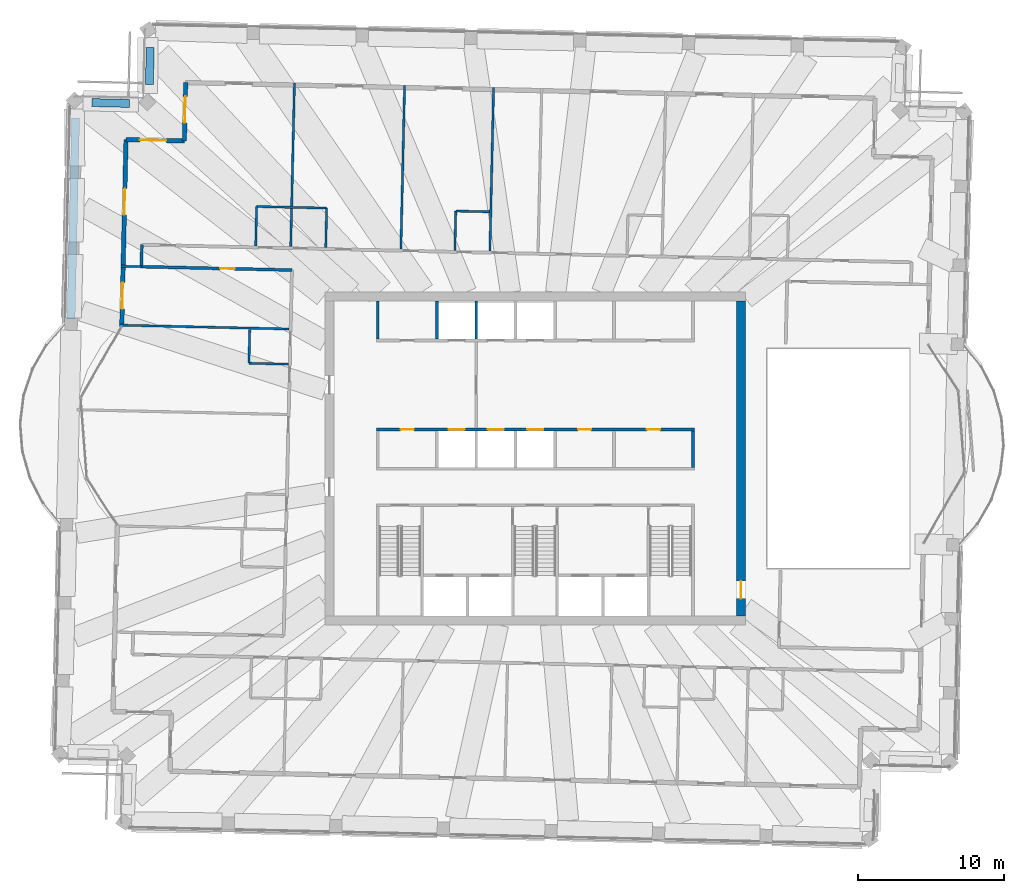
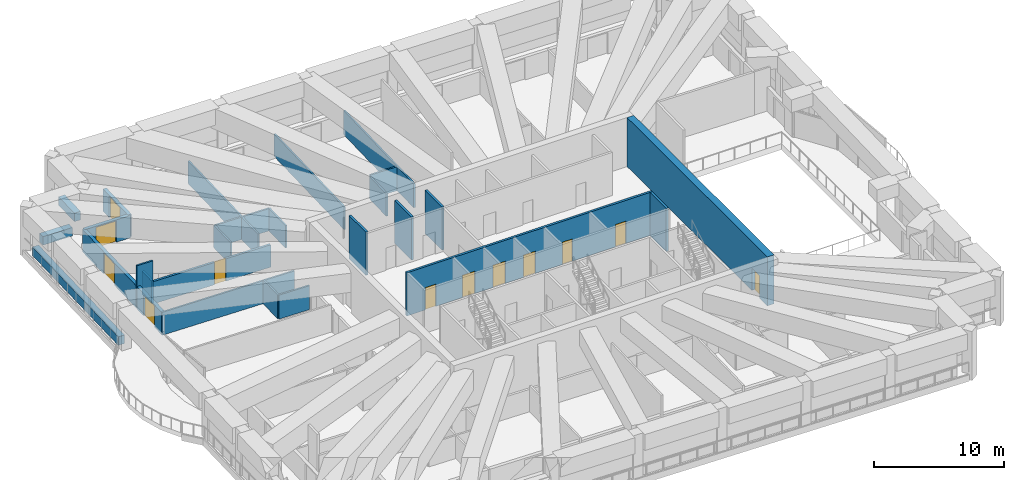
# One storey, part 12 of 21: 26 walls, 12 doors, 12 openings.
"""IFC4 building model written with IfcOpenShell, lengths in metres."""

from ifc_helpers import new_model, si_unit, direction, frame, frame_2d, origin, place, context, subcontext, project, spatial, rectangle, extrude, material, layer, layer_set, type_object, element, fill, save


model = new_model("IFC4")

# Units and contexts
model_context = context("Model", 3, precision=1e-05, world=origin(), true_north=direction((0.0, 1.0)))
body_context = subcontext(model_context, "Body", "Model", "MODEL_VIEW")
ifc_project = project(units=[si_unit("LENGTHUNIT", "METRE"), si_unit("AREAUNIT", "SQUARE_METRE"), si_unit("VOLUMEUNIT", "CUBIC_METRE"), si_unit("PLANEANGLEUNIT", "RADIAN"), si_unit("MASSUNIT", "GRAM", prefix="KILO")], contexts=[model_context])

# Site, building, storey
site_placement = place(None, origin())
site = spatial("IfcSite", under=ifc_project, at=site_placement, CompositionType="ELEMENT")
building_placement = place(site_placement, origin())
building = spatial("IfcBuilding", under=site, at=building_placement, Name="Mangrove Gate Tower", CompositionType="ELEMENT")
storey_placement = place(building_placement, frame((0.0, 0.0, 329.699951171875)))
storey = spatial("IfcBuildingStorey", under=building, at=storey_placement, Name="L84", CompositionType="ELEMENT", Elevation=329.699951171875)

# Walls
ifc_material_1 = material(Name="Concrete C32/40", Category="concrete")
ifc_layer_1 = layer(ifc_material_1, 0.199951171875)
ifc_layer_set_1 = layer_set([ifc_layer_1], Name="Core room wall 200 C32/40")
wall_type_1 = type_object("IfcWallType", Name="Core room wall 200 C32/40", PredefinedType="STANDARD", material=ifc_layer_set_1)
wall_1_placement = place(storey_placement, frame((10.800048828125, -0.60009765625, 0.0), z_axis=(0.0, 0.0, 1.0), x_axis=(0.0, 1.0, 0.0)))
element("IfcWall", 1, at=wall_1_placement, inside=storey, type_object=wall_type_1, Name="WALL-L84-CORE-25", PredefinedType="STANDARD", context=body_context, shape_type="SweptSolid", body=[
    extrude(rectangle(XDim=2.5, YDim=0.199951171875, at=frame_2d((1.25, 0.0))), origin(), (0.0, 0.0, 1.0), 4.050048828125),
])
wall_2_placement = place(storey_placement, frame((-10.800048828125, 8.199951171875, 0.0), z_axis=(0.0, 0.0, 1.0), x_axis=(0.0, 1.0, 0.0)))
element("IfcWall", 2, at=wall_2_placement, inside=storey, type_object=wall_type_1, Name="WALL-L84-CORE-26", PredefinedType="STANDARD", context=body_context, shape_type="SweptSolid", body=[
    extrude(rectangle(XDim=2.60009765625, YDim=0.199951171875, at=frame_2d((1.300048828125, 0.0))), origin(), (0.0, 0.0, 1.0), 4.050048828125),
])

# Wall, openings, doors
ifc_material_2 = material(Name="Concrete C50/60", Category="concrete")
ifc_layer_2 = layer(ifc_material_2, 0.199951171875)
ifc_layer_set_2 = layer_set([ifc_layer_2], Name="Core shaft wall 200 C50/60")
wall_type_2 = type_object("IfcWallType", Name="Core shaft wall 200 C50/60", PredefinedType="SHEAR", material=ifc_layer_set_2)
wall_3_placement = place(storey_placement, frame((-10.89990234375, 2.0, 0.0), z_axis=(0.0, 0.0, 1.0), x_axis=(1.0, 0.0, 0.0)))
wall_3 = element("IfcWall", 3, at=wall_3_placement, inside=storey, type_object=wall_type_2, Name="WALL-L84-CORE-7", PredefinedType="SHEAR", context=body_context, shape_type="SweptSolid", body=[
    extrude(rectangle(XDim=21.7998046875, YDim=0.199951171875, at=frame_2d((10.89990234375, 0.0))), origin(), (0.0, 0.0, 1.0), 4.050048828125),
])
opening_1_placement = place(wall_3_placement, frame((4.949951171875, 0.0, 0.0)))
opening_1 = element("IfcOpeningElement", 4, at=opening_1_placement, cuts=wall_3, Name="Opening LD", PredefinedType="OPENING", context=body_context, shape_type="SweptSolid", body=[
    extrude(rectangle(XDim=1.10009765625, YDim=2.10009765625, at=frame_2d((0.550048828125, 1.050048828125))), frame((0.0, 0.10986328125, 0.0), z_axis=(0.0, -1.0, 0.0), x_axis=(1.0, 0.0, 0.0)), (0.0, 0.0, 1.0), 0.219970703125),
])
opening_2_placement = place(wall_3_placement, frame((7.64990234375, 0.0, 0.0)))
opening_2 = element("IfcOpeningElement", 5, at=opening_2_placement, cuts=wall_3, Name="Opening LD", PredefinedType="OPENING", context=body_context, shape_type="SweptSolid", body=[
    extrude(rectangle(XDim=1.10009765625, YDim=2.10009765625, at=frame_2d((0.550048828125, 1.050048828125))), frame((0.0, 0.10986328125, 0.0), z_axis=(0.0, -1.0, 0.0), x_axis=(1.0, 0.0, 0.0)), (0.0, 0.0, 1.0), 0.219970703125),
])
opening_3_placement = place(wall_3_placement, frame((10.35009765625, 0.0, 0.0)))
opening_3 = element("IfcOpeningElement", 6, at=opening_3_placement, cuts=wall_3, Name="Opening LD", PredefinedType="OPENING", context=body_context, shape_type="SweptSolid", body=[
    extrude(rectangle(XDim=1.10009765625, YDim=2.10009765625, at=frame_2d((0.550048828125, 1.050048828125))), frame((0.0, 0.10986328125, 0.0), z_axis=(0.0, -1.0, 0.0), x_axis=(1.0, 0.0, 0.0)), (0.0, 0.0, 1.0), 0.219970703125),
])
opening_4_placement = place(wall_3_placement, frame((1.675048828125, 0.0, 0.0)))
opening_4 = element("IfcOpeningElement", 7, at=opening_4_placement, cuts=wall_3, Name="Opening KD", PredefinedType="OPENING", context=body_context, shape_type="SweptSolid", body=[
    extrude(rectangle(XDim=0.89990234375, YDim=2.10009765625, at=frame_2d((0.449951171875, 1.050048828125))), frame((0.0, 0.10986328125, 0.0), z_axis=(0.0, -1.0, 0.0), x_axis=(1.0, 0.0, 0.0)), (0.0, 0.0, 1.0), 0.219970703125),
])
opening_5_placement = place(wall_3_placement, frame((13.824951171875, 0.0, 0.0)))
opening_5 = element("IfcOpeningElement", 8, at=opening_5_placement, cuts=wall_3, Name="Opening RD", PredefinedType="OPENING", context=body_context, shape_type="SweptSolid", body=[
    extrude(rectangle(XDim=0.89990234375, YDim=2.10009765625, at=frame_2d((0.449951171875, 1.050048828125))), frame((0.0, 0.10986328125, 0.0), z_axis=(0.0, -1.0, 0.0), x_axis=(1.0, 0.0, 0.0)), (0.0, 0.0, 1.0), 0.219970703125),
])
opening_6_placement = place(wall_3_placement, frame((18.550048828125, 0.0, 0.0)))
opening_6 = element("IfcOpeningElement", 9, at=opening_6_placement, cuts=wall_3, Name="Opening KD", PredefinedType="OPENING", context=body_context, shape_type="SweptSolid", body=[
    extrude(rectangle(XDim=0.89990234375, YDim=2.10009765625, at=frame_2d((0.449951171875, 1.050048828125))), frame((0.0, 0.10986328125, 0.0), z_axis=(0.0, -1.0, 0.0), x_axis=(1.0, 0.0, 0.0)), (0.0, 0.0, 1.0), 0.219970703125),
])
ifc_material_3 = material(Name="Fire-rated steel door set", Category="steel")
door_type_1 = type_object("IfcDoorType", Name="Core room door FD30S 900x2100", OperationType="SINGLE_SWING_RIGHT", PredefinedType="DOOR", material=ifc_material_3)
door_1_placement = place(opening_4_placement, origin())
door_1 = element("IfcDoor", 10, at=door_1_placement, inside=storey, type_object=door_type_1, Name="Core room door Refuse store", OperationType="SINGLE_SWING_RIGHT", OverallHeight=2.10009765625, OverallWidth=0.89990234375, PredefinedType="DOOR", context=body_context, shape_type="SweptSolid", body=[
    extrude(rectangle(XDim=0.89990234375, YDim=2.10009765625, at=frame_2d((0.449951171875, 1.050048828125))), frame((0.0, 0.02490234375, 0.0), z_axis=(0.0, -1.0, 0.0), x_axis=(1.0, 0.0, 0.0)), (0.0, 0.0, 1.0), 0.050048828125),
])
fill(opening_4, door_1)
door_2_placement = place(opening_6_placement, origin())
door_2 = element("IfcDoor", 11, at=door_2_placement, inside=storey, type_object=door_type_1, Name="Core room door Linen store", OperationType="SINGLE_SWING_RIGHT", OverallHeight=2.10009765625, OverallWidth=0.89990234375, PredefinedType="DOOR", context=body_context, shape_type="SweptSolid", body=[
    extrude(rectangle(XDim=0.89990234375, YDim=2.10009765625, at=frame_2d((0.449951171875, 1.050048828125))), frame((0.0, 0.02490234375, 0.0), z_axis=(0.0, -1.0, 0.0), x_axis=(1.0, 0.0, 0.0)), (0.0, 0.0, 1.0), 0.050048828125),
])
fill(opening_6, door_2)
ifc_material_4 = material(Name="Stainless steel 316", Category="steel")
door_type_2 = type_object("IfcDoorType", Name="Lift landing door 1100x2100", OperationType="SLIDING_TO_LEFT", PredefinedType="DOOR", material=ifc_material_4)
door_3_placement = place(opening_1_placement, origin())
door_3 = element("IfcDoor", 12, at=door_3_placement, inside=storey, type_object=door_type_2, Name="Landing door LD H01", OperationType="SLIDING_TO_LEFT", OverallHeight=2.10009765625, OverallWidth=1.10009765625, PredefinedType="DOOR", context=body_context, shape_type="SweptSolid", body=[
    extrude(rectangle(XDim=1.10009765625, YDim=2.10009765625, at=frame_2d((0.550048828125, 1.050048828125))), frame((0.0, 0.02490234375, 0.0), z_axis=(0.0, -1.0, 0.0), x_axis=(1.0, 0.0, 0.0)), (0.0, 0.0, 1.0), 0.050048828125),
])
fill(opening_1, door_3)
door_4_placement = place(opening_2_placement, origin())
door_4 = element("IfcDoor", 13, at=door_4_placement, inside=storey, type_object=door_type_2, Name="Landing door LD H02", OperationType="SLIDING_TO_LEFT", OverallHeight=2.10009765625, OverallWidth=1.10009765625, PredefinedType="DOOR", context=body_context, shape_type="SweptSolid", body=[
    extrude(rectangle(XDim=1.10009765625, YDim=2.10009765625, at=frame_2d((0.550048828125, 1.050048828125))), frame((0.0, 0.02490234375, 0.0), z_axis=(0.0, -1.0, 0.0), x_axis=(1.0, 0.0, 0.0)), (0.0, 0.0, 1.0), 0.050048828125),
])
fill(opening_2, door_4)
door_5_placement = place(opening_3_placement, origin())
door_5 = element("IfcDoor", 14, at=door_5_placement, inside=storey, type_object=door_type_2, Name="Landing door LD H03", OperationType="SLIDING_TO_LEFT", OverallHeight=2.10009765625, OverallWidth=1.10009765625, PredefinedType="DOOR", context=body_context, shape_type="SweptSolid", body=[
    extrude(rectangle(XDim=1.10009765625, YDim=2.10009765625, at=frame_2d((0.550048828125, 1.050048828125))), frame((0.0, 0.02490234375, 0.0), z_axis=(0.0, -1.0, 0.0), x_axis=(1.0, 0.0, 0.0)), (0.0, 0.0, 1.0), 0.050048828125),
])
fill(opening_3, door_5)
ifc_material_5 = material(Name="Fire-rated steel door set", Category="steel")
door_type_3 = type_object("IfcDoorType", Name="Riser door FD30S 900x2100", OperationType="SINGLE_SWING_LEFT", PredefinedType="DOOR", material=ifc_material_5)
door_6_placement = place(opening_5_placement, origin())
door_6 = element("IfcDoor", 15, at=door_6_placement, inside=storey, type_object=door_type_3, Name="Riser door Electrical room", OperationType="SINGLE_SWING_LEFT", OverallHeight=2.10009765625, OverallWidth=0.89990234375, PredefinedType="DOOR", context=body_context, shape_type="SweptSolid", body=[
    extrude(rectangle(XDim=0.89990234375, YDim=2.10009765625, at=frame_2d((0.449951171875, 1.050048828125))), frame((0.0, 0.02490234375, 0.0), z_axis=(0.0, -1.0, 0.0), x_axis=(1.0, 0.0, 0.0)), (0.0, 0.0, 1.0), 0.050048828125),
])
fill(opening_5, door_6)

# Walls
for number, where, z_axis, x_axis, name in (
    (16, (-6.75, 8.199951171875, 0.0), (0.0, 0.0, 1.0), (0.0, 1.0, 0.0), "WALL-L84-CORE-27"),
    (17, (-4.050048828125, 8.199951171875, 0.0), (0.0, 0.0, 1.0), (0.0, 1.0, 0.0), "WALL-L84-CORE-28"),
):
    element("IfcWall", number, at=place(storey_placement, frame(where, z_axis=z_axis, x_axis=x_axis)), inside=storey, type_object=wall_type_2, Name=name, PredefinedType="SHEAR", context=body_context, shape_type="SweptSolid", body=[
        extrude(rectangle(XDim=2.60009765625, YDim=0.199951171875, at=frame_2d((1.300048828125, 0.0))), origin(), (0.0, 0.0, 1.0), 4.050048828125),
    ])

# Wall, opening, door
ifc_material_6 = material(Name="Concrete C50/60", Category="concrete")
ifc_layer_3 = layer(ifc_material_6, 0.60009765625)
ifc_layer_set_3 = layer_set([ifc_layer_3], Name="Core wall 600 C50/60")
wall_type_3 = type_object("IfcWallType", Name="Core wall 600 C50/60", PredefinedType="SHEAR", material=ifc_layer_set_3)
wall_4_placement = place(storey_placement, frame((14.10009765625, -10.800048828125, 0.0), z_axis=(0.0, 0.0, 1.0), x_axis=(0.0, 1.0, 0.0)))
wall_4 = element("IfcWall", 18, at=wall_4_placement, inside=storey, type_object=wall_type_3, Name="WALL-L84-CORE-4", PredefinedType="SHEAR", context=body_context, shape_type="SweptSolid", body=[
    extrude(rectangle(XDim=21.60009765625, YDim=0.60009765625, at=frame_2d((10.800048828125, 0.0))), origin(), (0.0, 0.0, 1.0), 4.60009765625),
])
opening_7_placement = place(wall_4_placement, frame((1.199951171875, 0.0, 0.0)))
opening_7 = element("IfcOpeningElement", 19, at=opening_7_placement, cuts=wall_4, Name="Opening CD", PredefinedType="OPENING", context=body_context, shape_type="SweptSolid", body=[
    extrude(rectangle(XDim=1.199951171875, YDim=2.10009765625, at=frame_2d((0.60009765625, 1.050048828125))), frame((0.0, 0.31005859375, 0.0), z_axis=(0.0, -1.0, 0.0), x_axis=(1.0, 0.0, 0.0)), (0.0, 0.0, 1.0), 0.6201171875),
])
ifc_material_7 = material(Name="Fire-rated steel door set", Category="steel")
door_type_4 = type_object("IfcDoorType", Name="Core ring door FD60 1200x2100", OperationType="DOUBLE_DOOR_SINGLE_SWING", PredefinedType="DOOR", material=ifc_material_7)
door_7_placement = place(opening_7_placement, origin())
door_7 = element("IfcDoor", 20, at=door_7_placement, inside=storey, type_object=door_type_4, Name="Core ring door E1", OperationType="DOUBLE_DOOR_SINGLE_SWING", OverallHeight=2.10009765625, OverallWidth=1.199951171875, PredefinedType="DOOR", context=body_context, shape_type="SweptSolid", body=[
    extrude(rectangle(XDim=1.199951171875, YDim=2.10009765625, at=frame_2d((0.60009765625, 1.050048828125))), frame((0.0, 0.02490234375, 0.0), z_axis=(0.0, -1.0, 0.0), x_axis=(1.0, 0.0, 0.0)), (0.0, 0.0, 1.0), 0.050048828125),
])
fill(opening_7, door_7)

ifc_material_8 = material(Name="Gypsum board on steel stud, EI 60", Category="steel")
ifc_layer_4 = layer(ifc_material_8, 0.199951171875)
ifc_layer_set_4 = layer_set([ifc_layer_4], Name="Corridor wall EI 60")
wall_type_4 = type_object("IfcWallType", Name="Corridor wall EI 60", PredefinedType="PARTITIONING", material=ifc_layer_set_4)
wall_5_placement = place(storey_placement, frame((-26.99609375, 13.14892578125, 0.0), z_axis=(0.0, 0.0, 1.0), x_axis=(0.999743140734, -0.022663904229, 0.0)))
wall_5 = element("IfcWall", 21, at=wall_5_placement, inside=storey, type_object=wall_type_4, Name="WALL-L84-036", PredefinedType="PARTITIONING", context=body_context, shape_type="SweptSolid", body=[
    extrude(rectangle(XDim=10.31982421875, YDim=0.199951171875, at=frame_2d((5.159912109375, 0.0))), origin(), (0.0, 0.0, 1.0), 2.10009765625),
])
opening_8_placement = place(wall_5_placement, frame((5.39208984375, 0.0, 0.0)))
opening_8 = element("IfcOpeningElement", 22, at=opening_8_placement, cuts=wall_5, Name="Opening AD", PredefinedType="OPENING", context=body_context, shape_type="SweptSolid", body=[
    extrude(rectangle(XDim=1.0, YDim=2.10009765625, at=frame_2d((0.5, 1.050048828125))), frame((0.0, 0.10986328125, 0.0), z_axis=(0.0, -1.0, 0.0), x_axis=(1.0, 0.0, 0.0)), (0.0, 0.0, 1.0), 0.219970703125),
])
ifc_material_9 = material(Name="Timber door leaf", Category="wood")
door_type_5 = type_object("IfcDoorType", Name="Amenity door 1000", OperationType="SINGLE_SWING_LEFT", PredefinedType="DOOR", material=ifc_material_9)
door_8_placement = place(opening_8_placement, origin())
door_8 = element("IfcDoor", 23, at=door_8_placement, inside=storey, type_object=door_type_5, Name="DOOR-L84-GAM-c5a", OperationType="SINGLE_SWING_LEFT", OverallHeight=2.10009765625, OverallWidth=1.0, PredefinedType="DOOR", context=body_context, shape_type="SweptSolid", body=[
    extrude(rectangle(XDim=1.0, YDim=2.10009765625, at=frame_2d((0.5, 1.050048828125))), frame((0.0, 0.02490234375, 0.0), z_axis=(0.0, -1.0, 0.0), x_axis=(1.0, 0.0, 0.0)), (0.0, 0.0, 1.0), 0.050048828125),
])
fill(opening_8, door_8)

# Wall
wall_6_placement = place(storey_placement, frame((-26.99609375, 13.153076171875, 0.0), z_axis=(0.0, 0.0, 1.0), x_axis=(0.022780545013, 0.999740489712, 0.0)))
element("IfcWall", 24, at=wall_6_placement, inside=storey, type_object=wall_type_4, Name="WALL-L84-039", PredefinedType="PARTITIONING", context=body_context, shape_type="SweptSolid", body=[
    extrude(rectangle(XDim=1.50048828125, YDim=0.199951171875, at=frame_2d((0.750244140625, 0.0))), origin(), (0.0, 0.0, 1.0), 2.150146484375),
])

# Wall, opening, door
ifc_material_10 = material(Name="Limestone", Category="masonry")
ifc_layer_5 = layer(ifc_material_10, 0.0400390625, Name="Limestone cladding")
ifc_material_11 = material(Name="Ventilated air gap")
ifc_layer_6 = layer(ifc_material_11, 0.0400390625, Name="Ventilated cavity")
ifc_material_12 = material(Name="Mineral wool insulation")
ifc_layer_7 = layer(ifc_material_12, 0.06005859375, Name="Insulation")
ifc_material_13 = material(Name="Breather membrane")
ifc_layer_8 = layer(ifc_material_13, 0.001953125, Name="Breather membrane")
ifc_material_14 = material(Name="Concrete C20/25 blockwork", Category="masonry")
ifc_layer_9 = layer(ifc_material_14, 0.14990234375, Name="Blockwork backing wall")
ifc_material_15 = material(Name="Gypsum plaster")
ifc_layer_10 = layer(ifc_material_15, 0.008056640625, Name="Internal plaster")
ifc_layer_set_5 = layer_set([ifc_layer_5, ifc_layer_6, ifc_layer_7, ifc_layer_8, ifc_layer_9, ifc_layer_10], Name="External wall 300 limestone cladding")
wall_type_5 = type_object("IfcWallType", Name="External wall 300 limestone cladding", PredefinedType="SOLIDWALL", material=ifc_layer_set_5)
wall_7_placement = place(storey_placement, frame((-23.958984375, 25.762939453125, 0.0), z_axis=(0.0, 0.0, 1.0), x_axis=(-0.022521758502, -0.999746353029, 0.0)))
wall_7 = element("IfcWall", 25, at=wall_7_placement, inside=storey, type_object=wall_type_5, Name="WALL-L84-W6", PredefinedType="SOLIDWALL", context=body_context, shape_type="SweptSolid", body=[
    extrude(rectangle(XDim=4.0, YDim=0.300048828125, at=frame_2d((2.0, 0.0))), origin(), (0.0, 0.0, 1.0), 2.10009765625),
])
opening_9_placement = place(wall_7_placement, frame((0.949951171875, 0.0, 0.0)))
opening_9 = element("IfcOpeningElement", 26, at=opening_9_placement, cuts=wall_7, Name="Opening TD2", PredefinedType="OPENING", context=body_context, shape_type="SweptSolid", body=[
    extrude(rectangle(XDim=1.800048828125, YDim=2.0, at=frame_2d((0.89990234375, 1.0))), frame((0.0, 0.159912109375, 0.0), z_axis=(0.0, -1.0, 0.0), x_axis=(1.0, 0.0, 0.0)), (0.0, 0.0, 1.0), 0.320068359375),
])
ifc_material_16 = material(Name="Aluminium frame with laminated clear glass", Category="aluminium")
door_type_6 = type_object("IfcDoorType", Name="Terrace door 1800x2000", OperationType="DOUBLE_DOOR_SINGLE_SWING", PredefinedType="DOOR", material=ifc_material_16)
door_9_placement = place(opening_9_placement, origin())
door_9 = element("IfcDoor", 27, at=door_9_placement, inside=storey, type_object=door_type_6, Name="DOOR-L84-W6-1", OperationType="DOUBLE_DOOR_SINGLE_SWING", OverallHeight=2.0, OverallWidth=1.800048828125, PredefinedType="DOOR", context=body_context, shape_type="SweptSolid", body=[
    extrude(rectangle(XDim=1.800048828125, YDim=2.0, at=frame_2d((0.89990234375, 1.0))), frame((0.0, 0.02490234375, 0.0), z_axis=(0.0, -1.0, 0.0), x_axis=(1.0, 0.0, 0.0)), (0.0, 0.0, 1.0), 0.050048828125),
])
fill(opening_9, door_9)

wall_8_placement = place(storey_placement, frame((-24.049072265625, 21.763916015625, 0.0), z_axis=(0.0, 0.0, 1.0), x_axis=(-0.999740826251, 0.022765770952, 0.0)))
wall_8 = element("IfcWall", 28, at=wall_8_placement, inside=storey, type_object=wall_type_5, Name="WALL-L84-N7", PredefinedType="SOLIDWALL", context=body_context, shape_type="SweptSolid", body=[
    extrude(rectangle(XDim=4.0, YDim=0.300048828125, at=frame_2d((2.0, 0.0))), origin(), (0.0, 0.0, 1.0), 2.10009765625),
])
opening_10_placement = place(wall_8_placement, frame((1.25, 0.0, 0.0)))
opening_10 = element("IfcOpeningElement", 29, at=opening_10_placement, cuts=wall_8, Name="Opening TD2", PredefinedType="OPENING", context=body_context, shape_type="SweptSolid", body=[
    extrude(rectangle(XDim=1.800048828125, YDim=2.0, at=frame_2d((0.89990234375, 1.0))), frame((0.0, 0.159912109375, 0.0), z_axis=(0.0, -1.0, 0.0), x_axis=(1.0, 0.0, 0.0)), (0.0, 0.0, 1.0), 0.320068359375),
])
door_10_placement = place(opening_10_placement, origin())
door_10 = element("IfcDoor", 30, at=door_10_placement, inside=storey, type_object=door_type_6, Name="DOOR-L84-N7-1", OperationType="DOUBLE_DOOR_SINGLE_SWING", OverallHeight=2.0, OverallWidth=1.800048828125, PredefinedType="DOOR", context=body_context, shape_type="SweptSolid", body=[
    extrude(rectangle(XDim=1.800048828125, YDim=2.0, at=frame_2d((0.89990234375, 1.0))), frame((0.0, 0.02490234375, 0.0), z_axis=(0.0, -1.0, 0.0), x_axis=(1.0, 0.0, 0.0)), (0.0, 0.0, 1.0), 0.050048828125),
])
fill(opening_10, door_10)

# Wall, openings, doors
wall_9_placement = place(storey_placement, frame((-28.048095703125, 21.85498046875, 0.0), z_axis=(0.0, 0.0, 1.0), x_axis=(-0.022677140298, -0.999742840588, 0.0)))
wall_9 = element("IfcWall", 31, at=wall_9_placement, inside=storey, type_object=wall_type_5, Name="WALL-L84-W8", PredefinedType="SOLIDWALL", context=body_context, shape_type="SweptSolid", body=[
    extrude(rectangle(XDim=12.779052734375, YDim=0.300048828125, at=frame_2d((6.3896484375, 0.0))), origin(), (0.0, 0.0, 1.0), 2.10009765625),
])
opening_11_placement = place(wall_9_placement, frame((3.363037109375, 0.0, 0.0)))
opening_11 = element("IfcOpeningElement", 32, at=opening_11_placement, cuts=wall_9, Name="Opening TD2", PredefinedType="OPENING", context=body_context, shape_type="SweptSolid", body=[
    extrude(rectangle(XDim=1.800048828125, YDim=2.0, at=frame_2d((0.89990234375, 1.0))), frame((0.0, 0.159912109375, 0.0), z_axis=(0.0, -1.0, 0.0), x_axis=(1.0, 0.0, 0.0)), (0.0, 0.0, 1.0), 0.320068359375),
])
opening_12_placement = place(wall_9_placement, frame((9.800048828125, 0.0, 0.0)))
opening_12 = element("IfcOpeningElement", 33, at=opening_12_placement, cuts=wall_9, Name="Opening TD2", PredefinedType="OPENING", context=body_context, shape_type="SweptSolid", body=[
    extrude(rectangle(XDim=1.800048828125, YDim=2.0, at=frame_2d((0.89990234375, 1.0))), frame((0.0, 0.159912109375, 0.0), z_axis=(0.0, -1.0, 0.0), x_axis=(1.0, 0.0, 0.0)), (0.0, 0.0, 1.0), 0.320068359375),
])
door_11_placement = place(opening_11_placement, origin())
door_11 = element("IfcDoor", 34, at=door_11_placement, inside=storey, type_object=door_type_6, Name="DOOR-L84-W8-1", OperationType="DOUBLE_DOOR_SINGLE_SWING", OverallHeight=2.0, OverallWidth=1.800048828125, PredefinedType="DOOR", context=body_context, shape_type="SweptSolid", body=[
    extrude(rectangle(XDim=1.800048828125, YDim=2.0, at=frame_2d((0.89990234375, 1.0))), frame((0.0, 0.02490234375, 0.0), z_axis=(0.0, -1.0, 0.0), x_axis=(1.0, 0.0, 0.0)), (0.0, 0.0, 1.0), 0.050048828125),
])
fill(opening_11, door_11)
door_12_placement = place(opening_12_placement, origin())
door_12 = element("IfcDoor", 35, at=door_12_placement, inside=storey, type_object=door_type_6, Name="DOOR-L84-W8-2", OperationType="DOUBLE_DOOR_SINGLE_SWING", OverallHeight=2.0, OverallWidth=1.800048828125, PredefinedType="DOOR", context=body_context, shape_type="SweptSolid", body=[
    extrude(rectangle(XDim=1.800048828125, YDim=2.0, at=frame_2d((0.89990234375, 1.0))), frame((0.0, 0.02490234375, 0.0), z_axis=(0.0, -1.0, 0.0), x_axis=(1.0, 0.0, 0.0)), (0.0, 0.0, 1.0), 0.050048828125),
])
fill(opening_12, door_12)

# Walls
ifc_material_17 = material(Name="Gypsum board on steel stud, EI 60", Category="steel")
ifc_layer_11 = layer(ifc_material_17, 0.14990234375)
ifc_layer_set_6 = layer_set([ifc_layer_11], Name="Party wall 150 EI 60")
wall_type_6 = type_object("IfcWallType", Name="Party wall 150 EI 60", PredefinedType="PARTITIONING", material=ifc_layer_set_6)
wall_10_placement = place(storey_placement, frame((-19.625, 6.530029296875, 0.0), z_axis=(0.0, 0.0, 1.0), x_axis=(0.999744396973, -0.02260842146, 0.0)))
element("IfcWall", 36, at=wall_10_placement, inside=storey, type_object=wall_type_6, Name="WALL-L84-031", PredefinedType="PARTITIONING", context=body_context, shape_type="SweptSolid", body=[
    extrude(rectangle(XDim=2.69970703125, YDim=0.14990234375, at=frame_2d((1.349853515625, 0.0))), origin(), (0.0, 0.0, 1.0), 2.25),
])
wall_11_placement = place(storey_placement, frame((-19.6240234375, 6.534912109375, 0.0), z_axis=(0.0, 0.0, 1.0), x_axis=(0.022778632478, 0.99974053329, 0.0)))
element("IfcWall", 37, at=wall_11_placement, inside=storey, type_object=wall_type_6, Name="WALL-L84-032", PredefinedType="PARTITIONING", context=body_context, shape_type="SweptSolid", body=[
    extrude(rectangle(XDim=2.32568359375, YDim=0.14990234375, at=frame_2d((1.162841796875, 0.0))), origin(), (0.0, 0.0, 1.0), 2.25),
])
wall_12_placement = place(storey_placement, frame((-28.487060546875, 9.14208984375, 0.0), z_axis=(0.0, 0.0, 1.0), x_axis=(0.999741520862, -0.02273524718, 0.0)))
element("IfcWall", 38, at=wall_12_placement, inside=storey, type_object=wall_type_6, Name="WALL-L84-034", PredefinedType="PARTITIONING", context=body_context, shape_type="SweptSolid", body=[
    extrude(rectangle(XDim=11.618896484375, YDim=0.14990234375, at=frame_2d((5.8095703125, 0.0))), origin(), (0.0, 0.0, 1.0), 2.150146484375),
])
wall_13_placement = place(storey_placement, frame((-28.39501953125, 13.180908203125, 0.0), z_axis=(0.0, 0.0, 1.0), x_axis=(0.999740306547, -0.022788581896, 0.0)))
element("IfcWall", 39, at=wall_13_placement, inside=storey, type_object=wall_type_6, Name="WALL-L84-035", PredefinedType="PARTITIONING", context=body_context, shape_type="SweptSolid", body=[
    extrude(rectangle(XDim=1.4033203125, YDim=0.14990234375, at=frame_2d((0.70166015625, 0.0))), origin(), (0.0, 0.0, 1.0), 4.050048828125),
])
wall_14_placement = place(storey_placement, frame((-19.160888671875, 14.575927734375, 0.0), z_axis=(0.0, 0.0, 1.0), x_axis=(0.022518033722, 0.999746436932, 0.0)))
element("IfcWall", 40, at=wall_14_placement, inside=storey, type_object=wall_type_6, Name="WALL-L84-042", PredefinedType="PARTITIONING", context=body_context, shape_type="SweptSolid", body=[
    extrude(rectangle(XDim=2.69970703125, YDim=0.14990234375, at=frame_2d((1.349853515625, 0.0))), origin(), (0.0, 0.0, 1.0), 2.10009765625),
])
wall_15_placement = place(storey_placement, frame((-16.761962890625, 14.52099609375, 0.0), z_axis=(0.0, 0.0, 1.0), x_axis=(0.022705102634, 0.999742205928, 0.0)))
element("IfcWall", 41, at=wall_15_placement, inside=storey, type_object=wall_type_6, Name="WALL-L84-043", PredefinedType="PARTITIONING", context=body_context, shape_type="SweptSolid", body=[
    extrude(rectangle(XDim=11.225830078125, YDim=0.14990234375, at=frame_2d((5.61279296875, 0.0))), origin(), (0.0, 0.0, 1.0), 2.10009765625),
])
wall_16_placement = place(storey_placement, frame((-14.363037109375, 14.467041015625, 0.0), z_axis=(0.0, 0.0, 1.0), x_axis=(0.022969966847, 0.999736155505, 0.0)))
element("IfcWall", 42, at=wall_16_placement, inside=storey, type_object=wall_type_6, Name="WALL-L84-044", PredefinedType="PARTITIONING", context=body_context, shape_type="SweptSolid", body=[
    extrude(rectangle(XDim=2.69970703125, YDim=0.14990234375, at=frame_2d((1.349853515625, 0.0))), origin(), (0.0, 0.0, 1.0), 2.10009765625),
])
wall_17_placement = place(storey_placement, frame((-9.214111328125, 14.35009765625, 0.0), z_axis=(0.0, 0.0, 1.0), x_axis=(0.022726839589, 0.999741712025, 0.0)))
element("IfcWall", 43, at=wall_17_placement, inside=storey, type_object=wall_type_6, Name="WALL-L84-045", PredefinedType="PARTITIONING", context=body_context, shape_type="SweptSolid", body=[
    extrude(rectangle(XDim=11.225830078125, YDim=0.14990234375, at=frame_2d((5.61279296875, 0.0))), origin(), (0.0, 0.0, 1.0), 2.10009765625),
])
wall_18_placement = place(storey_placement, frame((-5.514892578125, 14.26611328125, 0.0), z_axis=(0.0, 0.0, 1.0), x_axis=(0.022518033722, 0.999746436932, 0.0)))
element("IfcWall", 44, at=wall_18_placement, inside=storey, type_object=wall_type_6, Name="WALL-L84-046", PredefinedType="PARTITIONING", context=body_context, shape_type="SweptSolid", body=[
    extrude(rectangle(XDim=2.69970703125, YDim=0.14990234375, at=frame_2d((1.349853515625, 0.0))), origin(), (0.0, 0.0, 1.0), 2.10009765625),
])
wall_19_placement = place(storey_placement, frame((-3.114990234375, 14.2119140625, 0.0), z_axis=(0.0, 0.0, 1.0), x_axis=(0.022617662725, 0.999744187947, 0.0)))
element("IfcWall", 45, at=wall_19_placement, inside=storey, type_object=wall_type_6, Name="WALL-L84-047", PredefinedType="PARTITIONING", context=body_context, shape_type="SweptSolid", body=[
    extrude(rectangle(XDim=11.22607421875, YDim=0.14990234375, at=frame_2d((5.613037109375, 0.0))), origin(), (0.0, 0.0, 1.0), 2.25),
])
wall_20_placement = place(storey_placement, frame((-19.10009765625, 17.27099609375, 0.0), z_axis=(0.0, 0.0, 1.0), x_axis=(0.999742701292, -0.022683280499, 0.0)))
element("IfcWall", 46, at=wall_20_placement, inside=storey, type_object=wall_type_6, Name="WALL-L84-053", PredefinedType="PARTITIONING", context=body_context, shape_type="SweptSolid", body=[
    extrude(rectangle(XDim=4.80029296875, YDim=0.14990234375, at=frame_2d((2.400146484375, 0.0))), origin(), (0.0, 0.0, 1.0), 2.10009765625),
])
wall_21_placement = place(storey_placement, frame((-5.4541015625, 16.9609375, 0.0), z_axis=(0.0, 0.0, 1.0), x_axis=(0.999750007167, -0.022358961731, 0.0)))
element("IfcWall", 47, at=wall_21_placement, inside=storey, type_object=wall_type_6, Name="WALL-L84-054", PredefinedType="PARTITIONING", context=body_context, shape_type="SweptSolid", body=[
    extrude(rectangle(XDim=2.32568359375, YDim=0.14990234375, at=frame_2d((1.162841796875, 0.0))), origin(), (0.0, 0.0, 1.0), 2.25),
])
ifc_material_18 = material(Name="Concrete C32/40", Category="concrete")
ifc_layer_12 = layer(ifc_material_18, 0.199951171875, Name="Planter trough wall")
ifc_material_19 = material(Name="Bituminous waterproofing membrane")
ifc_layer_13 = layer(ifc_material_19, 0.0048828125, Name="Waterproofing")
ifc_material_20 = material(Name="Drainage board and gravel")
ifc_layer_14 = layer(ifc_material_20, 0.044921875, Name="Drainage layer")
ifc_material_21 = material(Name="Planting soil")
ifc_layer_15 = layer(ifc_material_21, 0.300048828125, Name="Growing medium")
ifc_layer_set_7 = layer_set([ifc_layer_12, ifc_layer_13, ifc_layer_14, ifc_layer_15], Name="Planter wall 550 C32/40")
wall_type_7 = type_object("IfcWallType", Name="Planter wall 550 C32/40", PredefinedType="USERDEFINED", material=ifc_layer_set_7)
wall_22_placement = place(storey_placement, frame((-31.81298828125, 9.574951171875, 0.0), z_axis=(0.0, 0.0, 1.0), x_axis=(0.022671035137, 0.999742979053, 0.0)))
element("IfcWall", 48, at=wall_22_placement, inside=storey, type_object=wall_type_7, Name="PLANTER L84 T1.1.25", ObjectType="PLANTER", PredefinedType="USERDEFINED", context=body_context, shape_type="SweptSolid", body=[
    extrude(rectangle(XDim=13.762451171875, YDim=0.550048828125, at=frame_2d((6.88134765625, 0.0))), origin(), (0.0, 0.0, 1.0), 0.800048828125),
])
wall_23_placement = place(storey_placement, frame((-30.39111328125, 24.39404296875, 0.0), z_axis=(0.0, 0.0, 1.0), x_axis=(0.999739345612, -0.022830699409, 0.0)))
element("IfcWall", 49, at=wall_23_placement, inside=storey, type_object=wall_type_7, Name="PLANTER L84 T1.2.6", ObjectType="PLANTER", PredefinedType="USERDEFINED", context=body_context, shape_type="SweptSolid", body=[
    extrude(rectangle(XDim=2.587890625, YDim=0.550048828125, at=frame_2d((1.2939453125, 0.0))), origin(), (0.0, 0.0, 1.0), 0.800048828125),
])
wall_24_placement = place(storey_placement, frame((-26.447998046875, 25.632080078125, 0.0), z_axis=(0.0, 0.0, 1.0), x_axis=(0.022898430909, 0.999737796556, 0.0)))
element("IfcWall", 50, at=wall_24_placement, inside=storey, type_object=wall_type_7, Name="PLANTER L84 T1.2.9", ObjectType="PLANTER", PredefinedType="USERDEFINED", context=body_context, shape_type="SweptSolid", body=[
    extrude(rectangle(XDim=2.53759765625, YDim=0.550048828125, at=frame_2d((1.268798828125, 0.0))), origin(), (0.0, 0.0, 1.0), 0.800048828125),
])

save(model, "model.ifc")
